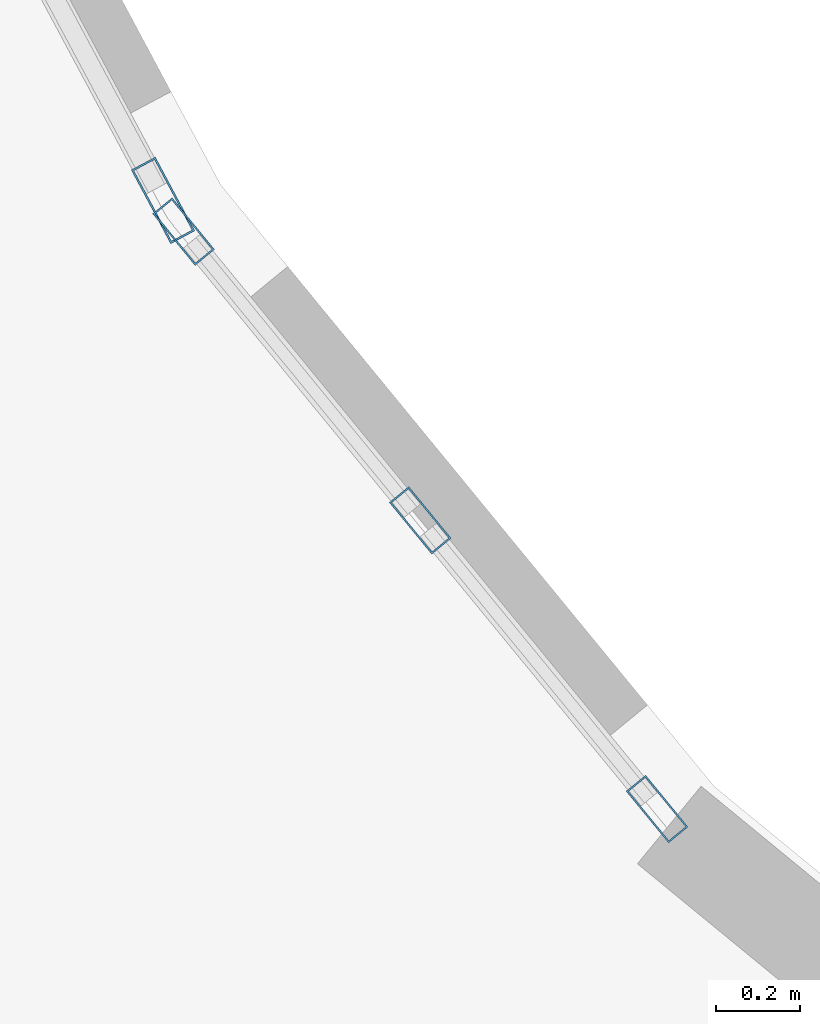
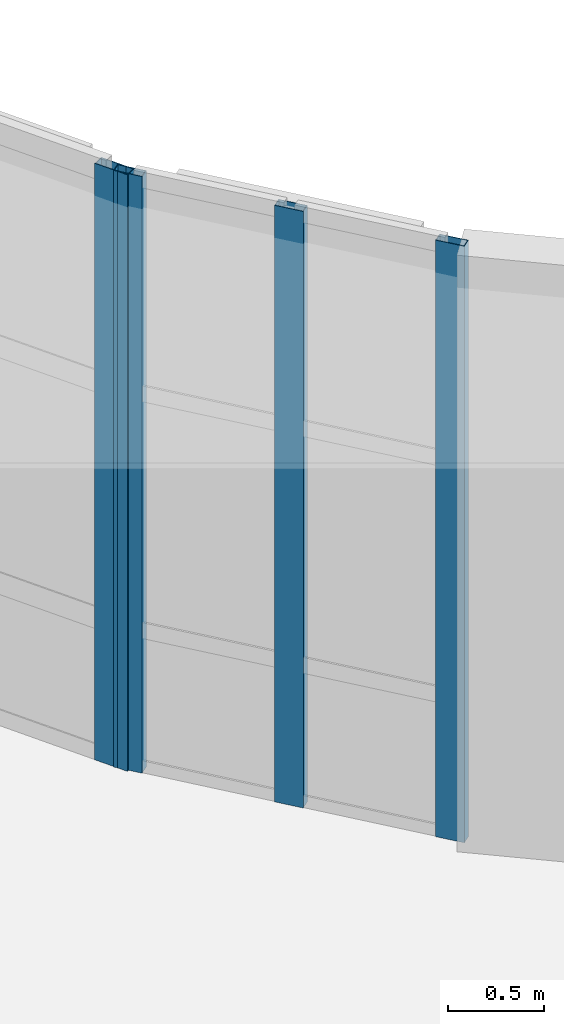
# One storey, part 28 of 89: 4 members, 2 elements without a shape of their own.
"""IFC4 building model written with IfcOpenShell, lengths in metres."""

from ifc_helpers import new_model, si_unit, direction, frame, origin, origin_2d, place, context, subcontext, project, spatial, hollow_rectangle, extrude, material, layer, layer_set, material_profile, profile_set, type_object, element, aggregate, save


model = new_model("IFC4")

# Units and contexts
model_context = context("Model", 3, precision=1e-05, world=origin(), true_north=direction((0.0, 1.0)))
body_context = subcontext(model_context, "Body", "Model", "MODEL_VIEW")
ifc_project = project(units=[si_unit("LENGTHUNIT", "METRE"), si_unit("AREAUNIT", "SQUARE_METRE"), si_unit("VOLUMEUNIT", "CUBIC_METRE"), si_unit("PLANEANGLEUNIT", "RADIAN"), si_unit("MASSUNIT", "GRAM", prefix="KILO")], contexts=[model_context])

# Site, building, storey
site_placement = place(None, origin())
site = spatial("IfcSite", under=ifc_project, at=site_placement, CompositionType="ELEMENT")
building_placement = place(site_placement, origin())
building = spatial("IfcBuilding", under=site, at=building_placement, Name="Kelanivale Promenade Academy", CompositionType="ELEMENT")
storey_placement = place(building_placement, frame((0.0, 0.0, 12.199951171875)))
storey = spatial("IfcBuildingStorey", under=building, at=storey_placement, Name="L03", CompositionType="ELEMENT", Elevation=12.199951171875)

# Curtain wall, members
ifc_material_1 = material(Name="Bronze anodised aluminium and solar-control low-E glass", Category="aluminium")
ifc_layer_1 = layer(ifc_material_1, 0.169921875)
ifc_layer_set_1 = layer_set([ifc_layer_1], Name="Bronze anodised aluminium and solar-control low-E glass")
curtain_wall_type_1 = type_object("IfcCurtainWallType", Name="CW-01 Curtain Wall 1350mm Module", PredefinedType="USERDEFINED", material=ifc_layer_set_1)
curtain_wall_1_placement = place(storey_placement, origin())
curtain_wall_1 = element("IfcCurtainWall", 1, at=curtain_wall_1_placement, inside=storey, type_object=curtain_wall_type_1, Name="L03 courtyard curtain wall CW-01", ObjectType="UNITISED GLAZING", PredefinedType="USERDEFINED")
ifc_material_2 = material(Name="Bronze anodised aluminium EN AW-6063 T6", Category="aluminium")
ifc_material_profile_1 = material_profile(ifc_material_2, hollow_rectangle(XDim=0.06005859375, YDim=0.159912109375, WallThickness=0.00390625, at=origin_2d()), Name="ALU 60x160x4.0")
ifc_profile_set_1 = profile_set([ifc_material_profile_1], Name="Bronze anodised aluminium EN AW-6063 T6")
member_type_1 = type_object("IfcMemberType", Name="CWM-01 ALU 60x160x4.0", PredefinedType="MULLION", material=ifc_profile_set_1)
member_1_placement = place(storey_placement, frame((90.81201171875, 51.409912109375, 0.0), z_axis=(0.0, 0.0, 1.0), x_axis=(0.773257170269, 0.634092539482, 0.0)))
member_1 = element("IfcMember", 2, at=member_1_placement, type_object=member_type_1, Name="CW-01 mullion 1", PredefinedType="MULLION", context=body_context, shape_type="SweptSolid", body=[
    extrude(hollow_rectangle(XDim=0.06005859375, YDim=0.159912109375, WallThickness=0.00390625, at=origin_2d()), origin(), (0.0, 0.0, 1.0), 3.780029296875),
])
member_2_placement = place(storey_placement, frame((91.37841796875, 50.718994140625, 0.0), z_axis=(0.0, 0.0, 1.0), x_axis=(0.773257170269, 0.634092539482, 0.0)))
member_2 = element("IfcMember", 3, at=member_2_placement, type_object=member_type_1, Name="CW-01 mullion 2", PredefinedType="MULLION", context=body_context, shape_type="SweptSolid", body=[
    extrude(hollow_rectangle(XDim=0.06005859375, YDim=0.159912109375, WallThickness=0.00390625, at=origin_2d()), origin(), (0.0, 0.0, 1.0), 3.780029296875),
])
member_3_placement = place(storey_placement, frame((91.945068359375, 50.028076171875, 0.0), z_axis=(0.0, 0.0, 1.0), x_axis=(0.773257170269, 0.634092539482, 0.0)))
member_3 = element("IfcMember", 4, at=member_3_placement, type_object=member_type_1, Name="CW-01 mullion 3", PredefinedType="MULLION", context=body_context, shape_type="SweptSolid", body=[
    extrude(hollow_rectangle(XDim=0.06005859375, YDim=0.159912109375, WallThickness=0.00390625, at=origin_2d()), origin(), (0.0, 0.0, 1.0), 3.780029296875),
])
aggregate(curtain_wall_1, [member_1, member_2, member_3])

# Curtain wall, member
ifc_layer_2 = layer(ifc_material_1, 0.159912109375)
ifc_layer_set_2 = layer_set([ifc_layer_2], Name="Bronze anodised aluminium and solar-control low-E glass")
curtain_wall_type_2 = type_object("IfcCurtainWallType", Name="CW-24 Curtain Wall 1200mm Module", PredefinedType="USERDEFINED", material=ifc_layer_set_2)
curtain_wall_2_placement = place(storey_placement, origin())
curtain_wall_2 = element("IfcCurtainWall", 5, at=curtain_wall_2_placement, inside=storey, type_object=curtain_wall_type_2, Name="L03 courtyard curtain wall CW-24", ObjectType="COURTYARD SCREEN GLAZING", PredefinedType="USERDEFINED")
ifc_material_profile_2 = material_profile(ifc_material_2, hollow_rectangle(XDim=0.06494140625, YDim=0.199951171875, WallThickness=0.00439453125, at=origin_2d()), Name="ALU 65x200x4.5")
ifc_profile_set_2 = profile_set([ifc_material_profile_2], Name="Bronze anodised aluminium EN AW-6063 T6")
member_type_2 = type_object("IfcMemberType", Name="CWM-04 ALU 65x200x4.5", PredefinedType="MULLION", material=ifc_profile_set_2)
member_4_placement = place(storey_placement, frame((90.7626953125, 51.484619140625, 0.0), z_axis=(0.0, 0.0, 1.0), x_axis=(0.881966294698, 0.471312481286, 0.0)))
member_4 = element("IfcMember", 6, at=member_4_placement, type_object=member_type_2, Name="CW-24 mullion 3", PredefinedType="MULLION", context=body_context, shape_type="SweptSolid", body=[
    extrude(hollow_rectangle(XDim=0.06494140625, YDim=0.199951171875, WallThickness=0.00439453125, at=origin_2d()), origin(), (0.0, 0.0, 1.0), 3.780029296875),
])
aggregate(curtain_wall_2, [member_4])

save(model, "model.ifc")
